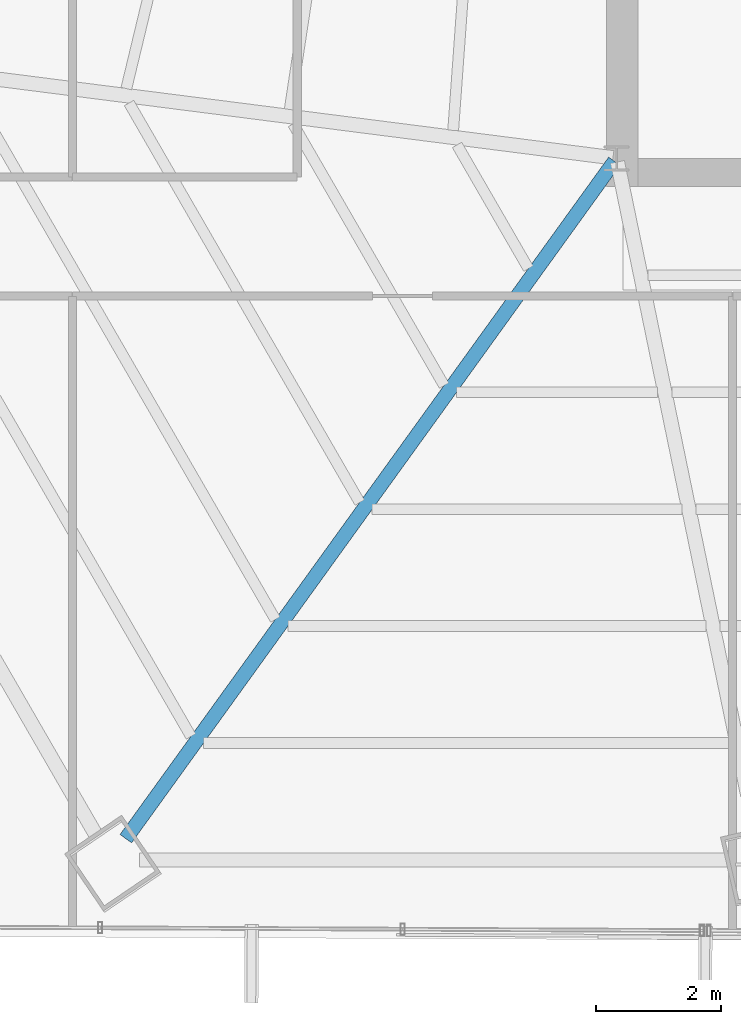
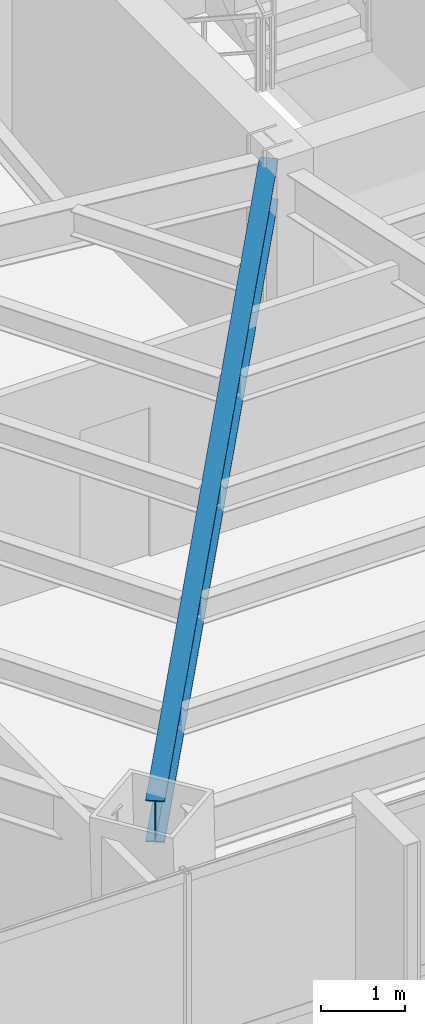
# One storey, part 5 of 35: 1 beam.
"""IFC4 building model written with IfcOpenShell, lengths in metres."""

from ifc_helpers import new_model, si_unit, direction, frame, origin, origin_2d, place, context, subcontext, project, spatial, i_section, extrude, source, transform, mapped, material, material_profile, profile_set, type_object, type_shapes, element, save


model = new_model("IFC4")

# Units and contexts
model_context = context("Model", 3, precision=1e-05, world=origin(), true_north=direction((0.0, 1.0)))
body_context = subcontext(model_context, "Body", "Model", "MODEL_VIEW")
ifc_project = project(units=[si_unit("LENGTHUNIT", "METRE"), si_unit("AREAUNIT", "SQUARE_METRE"), si_unit("VOLUMEUNIT", "CUBIC_METRE"), si_unit("PLANEANGLEUNIT", "RADIAN"), si_unit("MASSUNIT", "GRAM", prefix="KILO")], contexts=[model_context])

# Site, building, storey
site_placement = place(None, origin())
site = spatial("IfcSite", under=ifc_project, at=site_placement, CompositionType="ELEMENT")
building_placement = place(site_placement, origin())
building = spatial("IfcBuilding", under=site, at=building_placement, Name="Caelisora Broadcast Tower", CompositionType="ELEMENT")
storey_placement = place(building_placement, frame((0.0, 0.0, 94.449951171875)))
storey = spatial("IfcBuildingStorey", under=building, at=storey_placement, Name="L24", CompositionType="ELEMENT", Elevation=94.449951171875)

# Beam
ifc_material = material(Name="Steel Grade 350 (AS/NZS 3679.1)", Category="steel")
ifc_material_profile = material_profile(ifc_material, i_section(OverallWidth=0.22802734375, OverallDepth=0.602294921875, WebThickness=0.010498046875, FlangeThickness=0.014892578125, at=origin_2d()), Name="Steel Grade 350 (AS/NZS 3679.1)")
ifc_profile_set = profile_set([ifc_material_profile], Name="Steel Grade 350 (AS/NZS 3679.1)")
beam_type = type_object("IfcBeamType", Name="PG04", PredefinedType="BEAM", material=ifc_profile_set)
shared_shape = source(origin(), body_context, "Body", "SweptSolid", [
    extrude(i_section(OverallWidth=0.22802734375, OverallDepth=0.602294921875, WebThickness=0.010498046875, FlangeThickness=0.014892578125, at=origin_2d()), origin(), (0.0, 0.0, 1.0), 13.334228515625),
])
type_shapes(beam_type, [shared_shape])
beam_placement = place(storey_placement, frame((30.46484375, 17.351318359375, 3.098876953125), z_axis=(-0.585035218745, -0.811007887032, 0.0), x_axis=(0.811007887032, -0.585035218745, 0.0)))
element("IfcBeam", 1, at=beam_placement, inside=storey, type_object=beam_type, Name="L24 beam PG04", PredefinedType="BEAM", context=body_context, shape_type="MappedRepresentation", body=[
    mapped(shared_shape, transform((0.0, 0.0, 0.0), scale=1.0)),
])

save(model, "model.ifc")
